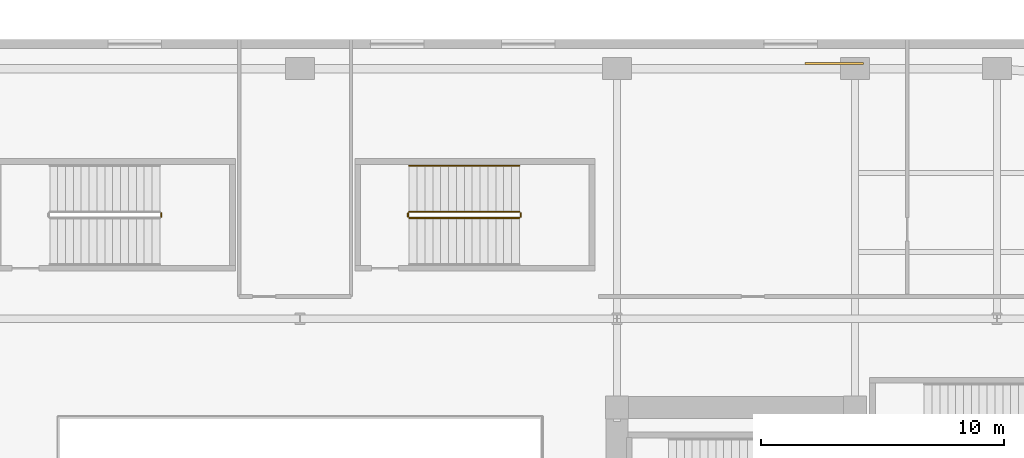
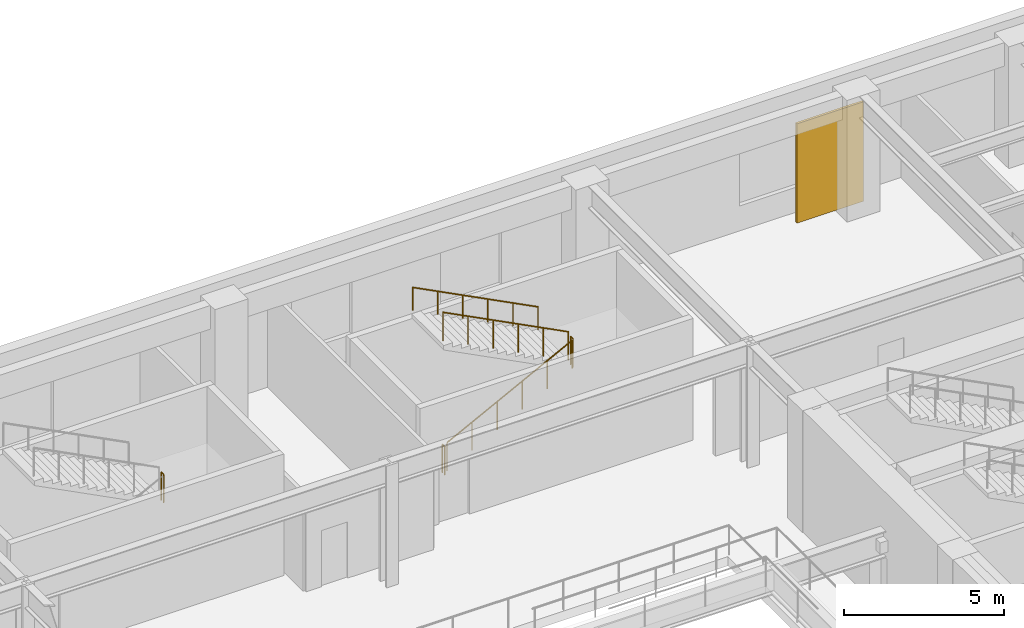
# One storey, part 22 of 24: 6 railings, 1 covering.
"""IFC4 building model written with IfcOpenShell, lengths in metres."""

from ifc_helpers import new_model, si_unit, direction, frame, origin, origin_2d, place, context, subcontext, project, spatial, rectangle, circle, extrude, material, layer, layer_set, type_object, element, save


model = new_model("IFC4")

# Units and contexts
model_context = context("Model", 3, precision=1e-05, world=origin(), true_north=direction((0.0, 1.0)))
body_context = subcontext(model_context, "Body", "Model", "MODEL_VIEW")
ifc_project = project(units=[si_unit("LENGTHUNIT", "METRE"), si_unit("AREAUNIT", "SQUARE_METRE"), si_unit("VOLUMEUNIT", "CUBIC_METRE"), si_unit("PLANEANGLEUNIT", "RADIAN"), si_unit("MASSUNIT", "GRAM", prefix="KILO")], contexts=[model_context])

# Site, building, storey
site_placement = place(None, origin())
site = spatial("IfcSite", under=ifc_project, at=site_placement, CompositionType="ELEMENT")
building_placement = place(site_placement, origin())
building = spatial("IfcBuilding", under=site, at=building_placement, Name="Kolvaren Arena Tower", CompositionType="ELEMENT")
storey_placement = place(building_placement, frame((0.0, 0.0, 23.0)))
storey = spatial("IfcBuildingStorey", under=building, at=storey_placement, Name="L04", CompositionType="ELEMENT", Elevation=23.0)

# Covering
ifc_material_1 = material(Name="Reconstituted Ontario limestone cladding panel", Category="masonry")
ifc_layer = layer(ifc_material_1, 0.0849609375)
ifc_layer_set = layer_set([ifc_layer], Name="Reconstituted Ontario limestone cladding panel")
covering_type = type_object("IfcCoveringType", Name="CLAD-PRC-1", PredefinedType="CLADDING", material=ifc_layer_set)
covering_placement = place(storey_placement, frame((59.5, 53.5, 0.10009765625), z_axis=(0.0, 0.0, 1.0), x_axis=(1.0, 0.0, 0.0)))
element("IfcCovering", 1, at=covering_placement, inside=storey, type_object=covering_type, Name="Limestone Spandrel Cladding Panel 8 (L04)", PredefinedType="CLADDING", context=body_context, shape_type="SweptSolid", body=[
    extrude(rectangle(XDim=2.39990234375, YDim=0.0849609375, at=origin_2d()), origin(), (0.0, 0.0, 1.0), 3.800048828125),
])

# Railings
ifc_material_2 = material(Name="Painted galvanized steel", Category="steel")
railing_type_1 = type_object("IfcRailingType", Name="GUARD-ST-110", PredefinedType="GUARDRAIL", material=ifc_material_2)
railing_1_placement = place(storey_placement, frame((31.785888671875, 47.199951171875, 2.5)))
element("IfcRailing", 2, at=railing_1_placement, inside=storey, type_object=railing_type_1, Name="L04 ST-A6 stair guard 2", PredefinedType="GUARDRAIL", context=body_context, shape_type="SweptSolid", body=[
    extrude(circle(Radius=0.02392578125, at=origin_2d()), frame((0.0, 0.0, 1.076171875), z_axis=(0.0, 1.0, 0.0), x_axis=(-1.0, 0.0, 0.0)), (0.0, 0.0, 1.0), 0.150146484375),
    extrude(circle(Radius=0.02099609375, at=origin_2d()), origin(), (0.0, 0.0, 1.0), 1.052001953125),
    extrude(circle(Radius=0.02099609375, at=origin_2d()), frame((0.0, 0.150146484375, 0.0)), (0.0, 0.0, 1.0), 1.052001953125),
])
railing_2_placement = place(storey_placement, frame((42.0, 47.14990234375, 0.166748046875)))
element("IfcRailing", 3, at=railing_2_placement, inside=storey, type_object=railing_type_1, Name="L04 ST-A7 stair guard 1", PredefinedType="GUARDRAIL", context=body_context, shape_type="SweptSolid", body=[
    extrude(circle(Radius=0.02392578125, at=origin_2d()), frame((0.0, 0.0, 1.076171875), z_axis=(0.889247197123, 0.0, 0.45742695855), x_axis=(0.0, 1.0, 0.0)), (0.0, 0.0, 1.0), 5.100830078125),
    extrude(circle(Radius=0.02099609375, at=origin_2d()), origin(), (0.0, 0.0, 1.0), 1.052001953125),
    extrude(circle(Radius=0.02099609375, at=origin_2d()), frame((0.9072265625, 0.0, 0.466552734375)), (0.0, 0.0, 1.0), 1.052001953125),
    extrude(circle(Radius=0.02099609375, at=origin_2d()), frame((1.814453125, 0.0, 0.933349609375)), (0.0, 0.0, 1.0), 1.052001953125),
    extrude(circle(Radius=0.02099609375, at=origin_2d()), frame((2.721435546875, 0.0, 1.39990234375)), (0.0, 0.0, 1.0), 1.052001953125),
    extrude(circle(Radius=0.02099609375, at=origin_2d()), frame((3.628662109375, 0.0, 1.86669921875)), (0.0, 0.0, 1.0), 1.052001953125),
    extrude(circle(Radius=0.02099609375, at=origin_2d()), frame((4.535888671875, 0.0, 2.333251953125)), (0.0, 0.0, 1.0), 1.052001953125),
])
railing_3_placement = place(storey_placement, frame((46.5859375, 47.199951171875, 2.5)))
element("IfcRailing", 4, at=railing_3_placement, inside=storey, type_object=railing_type_1, Name="L04 ST-A7 stair guard 2", PredefinedType="GUARDRAIL", context=body_context, shape_type="SweptSolid", body=[
    extrude(circle(Radius=0.02392578125, at=origin_2d()), frame((0.0, 0.0, 1.076171875), z_axis=(0.0, 1.0, 0.0), x_axis=(-1.0, 0.0, 0.0)), (0.0, 0.0, 1.0), 0.150146484375),
    extrude(circle(Radius=0.02099609375, at=origin_2d()), origin(), (0.0, 0.0, 1.0), 1.052001953125),
    extrude(circle(Radius=0.02099609375, at=origin_2d()), frame((0.0, 0.150146484375, 0.0)), (0.0, 0.0, 1.0), 1.052001953125),
])
railing_4_placement = place(storey_placement, frame((46.535888671875, 47.39990234375, 2.666748046875)))
element("IfcRailing", 5, at=railing_4_placement, inside=storey, type_object=railing_type_1, Name="L04 ST-A7 stair guard 3", PredefinedType="GUARDRAIL", context=body_context, shape_type="SweptSolid", body=[
    extrude(circle(Radius=0.02392578125, at=origin_2d()), frame((0.0, 0.0, 1.076171875), z_axis=(-0.889247197123, 0.0, 0.45742695855), x_axis=(0.0, -1.0, 0.0)), (0.0, 0.0, 1.0), 5.100830078125),
    extrude(circle(Radius=0.02099609375, at=origin_2d()), origin(), (0.0, 0.0, 1.0), 1.052001953125),
    extrude(circle(Radius=0.02099609375, at=origin_2d()), frame((-0.9072265625, 0.0, 0.466552734375)), (0.0, 0.0, 1.0), 1.052001953125),
    extrude(circle(Radius=0.02099609375, at=origin_2d()), frame((-1.814453125, 0.0, 0.933349609375)), (0.0, 0.0, 1.0), 1.052001953125),
    extrude(circle(Radius=0.02099609375, at=origin_2d()), frame((-2.721435546875, 0.0, 1.39990234375)), (0.0, 0.0, 1.0), 1.052001953125),
    extrude(circle(Radius=0.02099609375, at=origin_2d()), frame((-3.628662109375, 0.0, 1.86669921875)), (0.0, 0.0, 1.0), 1.052001953125),
    extrude(circle(Radius=0.02099609375, at=origin_2d()), frame((-4.535888671875, 0.0, 2.333251953125)), (0.0, 0.0, 1.0), 1.052001953125),
])
railing_5_placement = place(storey_placement, frame((41.949951171875, 47.199951171875, 0.0)))
element("IfcRailing", 6, at=railing_5_placement, inside=storey, type_object=railing_type_1, Name="L04 ST-A7 stair guard 4", PredefinedType="GUARDRAIL", context=body_context, shape_type="SweptSolid", body=[
    extrude(circle(Radius=0.02392578125, at=origin_2d()), frame((0.0, 0.0, 1.076171875), z_axis=(0.0, 1.0, 0.0), x_axis=(-1.0, 0.0, 0.0)), (0.0, 0.0, 1.0), 0.150146484375),
    extrude(circle(Radius=0.02099609375, at=origin_2d()), origin(), (0.0, 0.0, 1.0), 1.052001953125),
    extrude(circle(Radius=0.02099609375, at=origin_2d()), frame((0.0, 0.150146484375, 0.0)), (0.0, 0.0, 1.0), 1.052001953125),
])
ifc_material_3 = material(Name="Brushed stainless steel handrail", Category="steel")
railing_type_2 = type_object("IfcRailingType", Name="HRAIL-900", PredefinedType="HANDRAIL", material=ifc_material_3)
railing_6_placement = place(storey_placement, frame((46.535888671875, 49.300048828125, 2.666748046875)))
element("IfcRailing", 7, at=railing_6_placement, inside=storey, type_object=railing_type_2, Name="L04 ST-A7 stair handrail 2", PredefinedType="HANDRAIL", context=body_context, shape_type="SweptSolid", body=[
    extrude(circle(Radius=0.02392578125, at=origin_2d()), frame((0.0, 0.0, 0.8759765625), z_axis=(-0.889247197123, 0.0, 0.45742695855), x_axis=(0.0, -1.0, 0.0)), (0.0, 0.0, 1.0), 5.100830078125),
    extrude(circle(Radius=0.02099609375, at=origin_2d()), origin(), (0.0, 0.0, 1.0), 0.851806640625),
    extrude(circle(Radius=0.02099609375, at=origin_2d()), frame((-0.9072265625, 0.0, 0.466552734375)), (0.0, 0.0, 1.0), 0.851806640625),
    extrude(circle(Radius=0.02099609375, at=origin_2d()), frame((-1.814453125, 0.0, 0.933349609375)), (0.0, 0.0, 1.0), 0.851806640625),
    extrude(circle(Radius=0.02099609375, at=origin_2d()), frame((-2.721435546875, 0.0, 1.39990234375)), (0.0, 0.0, 1.0), 0.851806640625),
    extrude(circle(Radius=0.02099609375, at=origin_2d()), frame((-3.628662109375, 0.0, 1.86669921875)), (0.0, 0.0, 1.0), 0.851806640625),
    extrude(circle(Radius=0.02099609375, at=origin_2d()), frame((-4.535888671875, 0.0, 2.333251953125)), (0.0, 0.0, 1.0), 0.851806640625),
])

save(model, "model.ifc")
